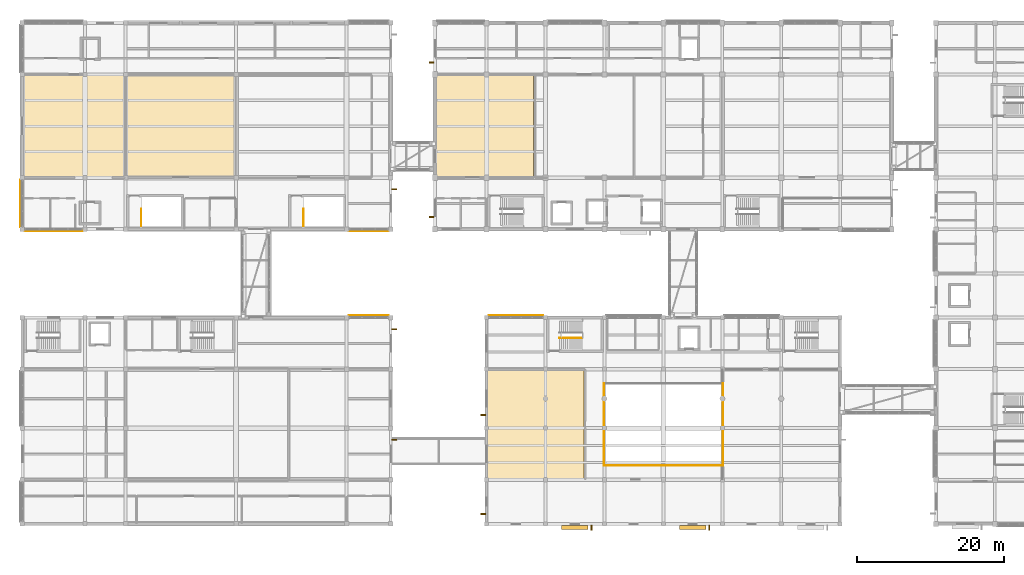
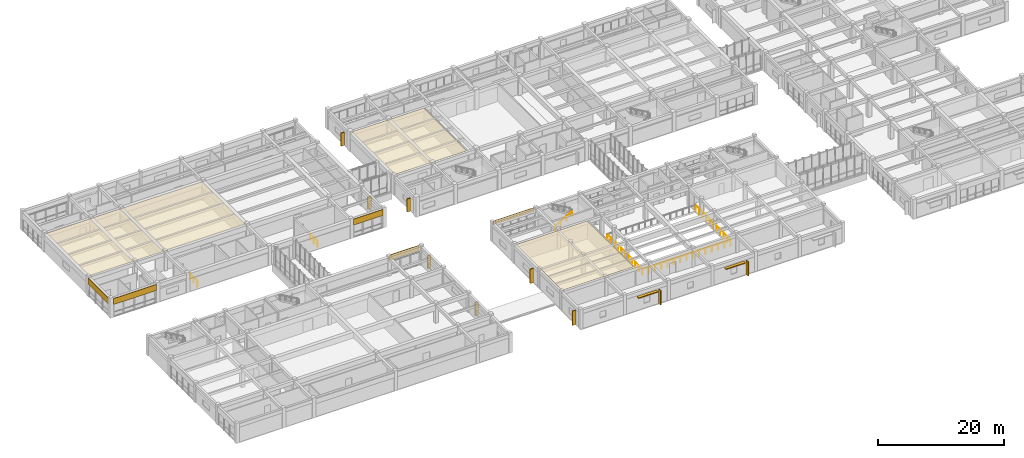
# One storey, part 59 of 66: 11 shading devices, 9 coverings, 6 railings.
"""IFC4 building model written with IfcOpenShell, lengths in metres."""

from ifc_helpers import new_model, si_unit, direction, frame, origin, origin_2d, place, context, subcontext, project, spatial, polyline, rectangle, circle, outline, extrude, material, layer, layer_set, type_object, element, save


model = new_model("IFC4")

# Units and contexts
model_context = context("Model", 3, precision=1e-05, world=origin(), true_north=direction((0.0, 1.0)))
body_context = subcontext(model_context, "Body", "Model", "MODEL_VIEW")
ifc_project = project(units=[si_unit("LENGTHUNIT", "METRE"), si_unit("AREAUNIT", "SQUARE_METRE"), si_unit("VOLUMEUNIT", "CUBIC_METRE"), si_unit("PLANEANGLEUNIT", "RADIAN"), si_unit("MASSUNIT", "GRAM", prefix="KILO")], contexts=[model_context])

# Site, building, storey
site_placement = place(None, origin())
site = spatial("IfcSite", under=ifc_project, at=site_placement, CompositionType="ELEMENT")
building_placement = place(site_placement, origin())
building = spatial("IfcBuilding", under=site, at=building_placement, Name="Naurynzar Civic Courthouse", CompositionType="ELEMENT")
storey_placement = place(building_placement, frame((0.0, 0.0, 14.39990234375)))
storey = spatial("IfcBuildingStorey", under=building, at=storey_placement, Name="L04", CompositionType="ELEMENT", Elevation=14.39990234375)

# Coverings
ifc_material_1 = material(Name="Acoustic Oak Timber Grade A", Category="wood")
ifc_layer_1 = layer(ifc_material_1, 0.044921875)
ifc_layer_set_1 = layer_set([ifc_layer_1], Name="CEIL-ACOUSTIC-OAK-45")
covering_type_1 = type_object("IfcCoveringType", Name="CEIL-ACOUSTIC-OAK-45", PredefinedType="CEILING", material=ifc_layer_set_1)
covering_1_placement = place(storey_placement, frame((0.0, 0.0, 3.485107421875)))
element("IfcCovering", 1, at=covering_1_placement, inside=storey, type_object=covering_type_1, Name="Acoustic suspended ceiling Appellate Plenary Hearing Courtroom", PredefinedType="CEILING", context=body_context, shape_type="SweptSolid", body=[
    extrude(outline(polyline([(20.159912109375, 51.159912109375), (20.159912109375, 64.840087890625), (34.840087890625, 64.840087890625), (34.840087890625, 51.159912109375), (20.159912109375, 51.159912109375)])), origin(), (0.0, 0.0, 1.0), 0.044921875),
])
covering_2_placement = place(storey_placement, frame((0.0, 0.0, 3.51513671875)))
element("IfcCovering", 2, at=covering_2_placement, inside=storey, type_object=covering_type_1, Name="Acoustic suspended ceiling Commercial Courtroom 4A", PredefinedType="CEILING", context=body_context, shape_type="SweptSolid", body=[
    extrude(outline(polyline([(75.360107421875, 51.159912109375), (62.159912109375, 51.159912109375), (62.159912109375, 64.840087890625), (75.360107421875, 64.840087890625), (75.360107421875, 51.159912109375)])), origin(), (0.0, 0.0, 1.0), 0.044921875),
])
ifc_material_2 = material(Name="Mineral Fibre Acoustic Ceiling")
ifc_layer_2 = layer(ifc_material_2, 0.030029296875)
ifc_layer_set_2 = layer_set([ifc_layer_2], Name="CEIL-MINERAL-30")
covering_type_2 = type_object("IfcCoveringType", Name="CEIL-MINERAL-30", PredefinedType="CEILING", material=ifc_layer_set_2)
covering_3_placement = place(storey_placement, frame((0.0, 0.0, 3.485107421875)))
element("IfcCovering", 3, at=covering_3_placement, inside=storey, type_object=covering_type_2, Name="Acoustic suspended ceiling Appellate Jury Room", PredefinedType="CEILING", context=body_context, shape_type="SweptSolid", body=[
    extrude(outline(polyline([(6.159912109375, 51.159912109375), (6.159912109375, 64.840087890625), (19.840087890625, 64.840087890625), (19.840087890625, 51.159912109375), (6.159912109375, 51.159912109375)])), origin(), (0.0, 0.0, 1.0), 0.030029296875),
])
covering_4_placement = place(storey_placement, frame((0.0, 0.0, 3.51513671875)))
element("IfcCovering", 4, at=covering_4_placement, inside=storey, type_object=covering_type_2, Name="Acoustic suspended ceiling Law Library Reading Room West", PredefinedType="CEILING", context=body_context, shape_type="SweptSolid", body=[
    extrude(outline(polyline([(69.159912109375, 10.159912109375), (69.159912109375, 24.840087890625), (82.239990234375, 24.840087890625), (82.239990234375, 10.159912109375), (69.159912109375, 10.159912109375)])), origin(), (0.0, 0.0, 1.0), 0.030029296875),
])
ifc_material_3 = material(Name="Precast concrete C40/50", Category="concrete")
ifc_layer_3 = layer(ifc_material_3, 0.080078125)
ifc_layer_set_3 = layer_set([ifc_layer_3], Name="COV-CLAD-PRECAST-80")
covering_type_3 = type_object("IfcCoveringType", Name="COV-CLAD-PRECAST-80", PredefinedType="CLADDING", material=ifc_layer_set_3)
covering_5_placement = place(storey_placement, frame((5.7451171875, 47.5, 2.4599609375), z_axis=(0.0, 0.0, 1.0), x_axis=(0.0, 1.0, 0.0)))
element("IfcCovering", 5, at=covering_5_placement, inside=storey, type_object=covering_type_3, Name="V1 precast spandrel cladding 13", PredefinedType="CLADDING", context=body_context, shape_type="SweptSolid", body=[
    extrude(rectangle(XDim=6.39990234375, YDim=0.080078125, at=origin_2d()), origin(), (0.0, 0.0, 1.0), 1.159912109375),
])
covering_6_placement = place(storey_placement, frame((53.0, 43.7451171875, 2.4599609375), z_axis=(0.0, 0.0, 1.0), x_axis=(-1.0, 0.0, 0.0)))
element("IfcCovering", 6, at=covering_6_placement, inside=storey, type_object=covering_type_3, Name="V1 precast spandrel cladding 17", PredefinedType="CLADDING", context=body_context, shape_type="SweptSolid", body=[
    extrude(rectangle(XDim=5.39990234375, YDim=0.080078125, at=origin_2d()), origin(), (0.0, 0.0, 1.0), 1.159912109375),
])
covering_7_placement = place(storey_placement, frame((10.25, 43.7451171875, 2.4599609375), z_axis=(0.0, 0.0, 1.0), x_axis=(-1.0, 0.0, 0.0)))
element("IfcCovering", 7, at=covering_7_placement, inside=storey, type_object=covering_type_3, Name="V1 precast spandrel cladding 18", PredefinedType="CLADDING", context=body_context, shape_type="SweptSolid", body=[
    extrude(rectangle(XDim=7.89990234375, YDim=0.080078125, at=origin_2d()), origin(), (0.0, 0.0, 1.0), 1.159912109375),
])
covering_8_placement = place(storey_placement, frame((73.0, 32.2548828125, 2.84033203125), z_axis=(0.0, 0.0, 1.0), x_axis=(1.0, 0.0, 0.0)))
element("IfcCovering", 8, at=covering_8_placement, inside=storey, type_object=covering_type_3, Name="V3 precast spandrel cladding 70", PredefinedType="CLADDING", context=body_context, shape_type="SweptSolid", body=[
    extrude(rectangle(XDim=7.449951171875, YDim=0.080078125, at=origin_2d()), origin(), (0.0, 0.0, 1.0), 0.719970703125),
])
covering_9_placement = place(storey_placement, frame((53.0, 32.2548828125, 2.60986328125), z_axis=(0.0, 0.0, 1.0), x_axis=(1.0, 0.0, 0.0)))
element("IfcCovering", 9, at=covering_9_placement, inside=storey, type_object=covering_type_3, Name="V4 precast spandrel cladding 82", PredefinedType="CLADDING", context=body_context, shape_type="SweptSolid", body=[
    extrude(rectangle(XDim=5.39990234375, YDim=0.080078125, at=origin_2d()), origin(), (0.0, 0.0, 1.0), 1.030029296875),
])

# Railings
ifc_material_4 = material(Name="Brushed Stainless Steel 304", Category="steel")
railing_type_1 = type_object("IfcRailingType", Name="RAIL-BAL-1100", PredefinedType="BALUSTRADE", material=ifc_material_4)
railing_1_placement = place(storey_placement, frame((84.919921875, 11.919921875, 0.0)))
element("IfcRailing", 10, at=railing_1_placement, inside=storey, type_object=railing_type_1, Name="Atrium gallery balustrade guard GR-VOID-V3-L04.1", PredefinedType="BALUSTRADE", context=body_context, shape_type="SweptSolid", body=[
    extrude(circle(Radius=0.02392578125, at=origin_2d()), frame((0.0, 0.0, 1.09619140625), z_axis=(1.0, 0.0, 0.0), x_axis=(0.0, 1.0, 0.0)), (0.0, 0.0, 1.0), 16.16015625),
    extrude(circle(Radius=0.02099609375, at=origin_2d()), origin(), (0.0, 0.0, 1.0), 1.072021484375),
    extrude(circle(Radius=0.02099609375, at=origin_2d()), frame((1.154296875, 0.0, 0.0)), (0.0, 0.0, 1.0), 1.072021484375),
    extrude(circle(Radius=0.02099609375, at=origin_2d()), frame((2.30859375, 0.0, 0.0)), (0.0, 0.0, 1.0), 1.072021484375),
    extrude(circle(Radius=0.02099609375, at=origin_2d()), frame((3.462890625, 0.0, 0.0)), (0.0, 0.0, 1.0), 1.072021484375),
    extrude(circle(Radius=0.02099609375, at=origin_2d()), frame((4.6171875, 0.0, 0.0)), (0.0, 0.0, 1.0), 1.072021484375),
    extrude(circle(Radius=0.02099609375, at=origin_2d()), frame((5.771484375, 0.0, 0.0)), (0.0, 0.0, 1.0), 1.072021484375),
    extrude(circle(Radius=0.02099609375, at=origin_2d()), frame((6.92578125, 0.0, 0.0)), (0.0, 0.0, 1.0), 1.072021484375),
    extrude(circle(Radius=0.02099609375, at=origin_2d()), frame((8.080078125, 0.0, 0.0)), (0.0, 0.0, 1.0), 1.072021484375),
    extrude(circle(Radius=0.02099609375, at=origin_2d()), frame((9.234375, 0.0, 0.0)), (0.0, 0.0, 1.0), 1.072021484375),
    extrude(circle(Radius=0.02099609375, at=origin_2d()), frame((10.388671875, 0.0, 0.0)), (0.0, 0.0, 1.0), 1.072021484375),
    extrude(circle(Radius=0.02099609375, at=origin_2d()), frame((11.54296875, 0.0, 0.0)), (0.0, 0.0, 1.0), 1.072021484375),
    extrude(circle(Radius=0.02099609375, at=origin_2d()), frame((12.697265625, 0.0, 0.0)), (0.0, 0.0, 1.0), 1.072021484375),
    extrude(circle(Radius=0.02099609375, at=origin_2d()), frame((13.8515625, 0.0, 0.0)), (0.0, 0.0, 1.0), 1.072021484375),
    extrude(circle(Radius=0.02099609375, at=origin_2d()), frame((15.005859375, 0.0, 0.0)), (0.0, 0.0, 1.0), 1.072021484375),
    extrude(circle(Radius=0.02099609375, at=origin_2d()), frame((16.16015625, 0.0, 0.0)), (0.0, 0.0, 1.0), 1.072021484375),
])
railing_2_placement = place(storey_placement, frame((101.080078125, 11.919921875, 0.0)))
element("IfcRailing", 11, at=railing_2_placement, inside=storey, type_object=railing_type_1, Name="Atrium gallery balustrade guard GR-VOID-V3-L04.2", PredefinedType="BALUSTRADE", context=body_context, shape_type="SweptSolid", body=[
    extrude(circle(Radius=0.02392578125, at=origin_2d()), frame((0.0, 0.0, 1.09619140625), z_axis=(0.0, 1.0, 0.0), x_axis=(-1.0, 0.0, 0.0)), (0.0, 0.0, 1.0), 11.16015625),
    extrude(circle(Radius=0.02099609375, at=origin_2d()), origin(), (0.0, 0.0, 1.0), 1.072021484375),
    extrude(circle(Radius=0.02099609375, at=origin_2d()), frame((0.0, 1.115966796875, 0.0)), (0.0, 0.0, 1.0), 1.072021484375),
    extrude(circle(Radius=0.02099609375, at=origin_2d()), frame((0.0, 2.23193359375, 0.0)), (0.0, 0.0, 1.0), 1.072021484375),
    extrude(circle(Radius=0.02099609375, at=origin_2d()), frame((0.0, 3.34814453125, 0.0)), (0.0, 0.0, 1.0), 1.072021484375),
    extrude(circle(Radius=0.02099609375, at=origin_2d()), frame((0.0, 4.464111328125, 0.0)), (0.0, 0.0, 1.0), 1.072021484375),
    extrude(circle(Radius=0.02099609375, at=origin_2d()), frame((0.0, 5.580078125, 0.0)), (0.0, 0.0, 1.0), 1.072021484375),
    extrude(circle(Radius=0.02099609375, at=origin_2d()), frame((0.0, 6.696044921875, 0.0)), (0.0, 0.0, 1.0), 1.072021484375),
    extrude(circle(Radius=0.02099609375, at=origin_2d()), frame((0.0, 7.81201171875, 0.0)), (0.0, 0.0, 1.0), 1.072021484375),
    extrude(circle(Radius=0.02099609375, at=origin_2d()), frame((0.0, 8.92822265625, 0.0)), (0.0, 0.0, 1.0), 1.072021484375),
    extrude(circle(Radius=0.02099609375, at=origin_2d()), frame((0.0, 10.044189453125, 0.0)), (0.0, 0.0, 1.0), 1.072021484375),
    extrude(circle(Radius=0.02099609375, at=origin_2d()), frame((0.0, 11.16015625, 0.0)), (0.0, 0.0, 1.0), 1.072021484375),
])
railing_3_placement = place(storey_placement, frame((84.919921875, 23.080078125, 0.0)))
element("IfcRailing", 12, at=railing_3_placement, inside=storey, type_object=railing_type_1, Name="Atrium gallery balustrade guard GR-VOID-V3-L04.4", PredefinedType="BALUSTRADE", context=body_context, shape_type="SweptSolid", body=[
    extrude(circle(Radius=0.02392578125, at=origin_2d()), frame((0.0, 0.0, 1.09619140625), z_axis=(0.0, -1.0, 0.0), x_axis=(1.0, 0.0, 0.0)), (0.0, 0.0, 1.0), 11.16015625),
    extrude(circle(Radius=0.02099609375, at=origin_2d()), origin(), (0.0, 0.0, 1.0), 1.072021484375),
    extrude(circle(Radius=0.02099609375, at=origin_2d()), frame((0.0, -1.115966796875, 0.0)), (0.0, 0.0, 1.0), 1.072021484375),
    extrude(circle(Radius=0.02099609375, at=origin_2d()), frame((0.0, -2.23193359375, 0.0)), (0.0, 0.0, 1.0), 1.072021484375),
    extrude(circle(Radius=0.02099609375, at=origin_2d()), frame((0.0, -3.34814453125, 0.0)), (0.0, 0.0, 1.0), 1.072021484375),
    extrude(circle(Radius=0.02099609375, at=origin_2d()), frame((0.0, -4.464111328125, 0.0)), (0.0, 0.0, 1.0), 1.072021484375),
    extrude(circle(Radius=0.02099609375, at=origin_2d()), frame((0.0, -5.580078125, 0.0)), (0.0, 0.0, 1.0), 1.072021484375),
    extrude(circle(Radius=0.02099609375, at=origin_2d()), frame((0.0, -6.696044921875, 0.0)), (0.0, 0.0, 1.0), 1.072021484375),
    extrude(circle(Radius=0.02099609375, at=origin_2d()), frame((0.0, -7.81201171875, 0.0)), (0.0, 0.0, 1.0), 1.072021484375),
    extrude(circle(Radius=0.02099609375, at=origin_2d()), frame((0.0, -8.92822265625, 0.0)), (0.0, 0.0, 1.0), 1.072021484375),
    extrude(circle(Radius=0.02099609375, at=origin_2d()), frame((0.0, -10.044189453125, 0.0)), (0.0, 0.0, 1.0), 1.072021484375),
    extrude(circle(Radius=0.02099609375, at=origin_2d()), frame((0.0, -11.16015625, 0.0)), (0.0, 0.0, 1.0), 1.072021484375),
])
for number, where, name in (
    (13, (22.139892578125, 44.449951171875, 0.0), "Stair ST-V1A top floor well guard L04"),
    (14, (44.139892578125, 44.449951171875, 0.0), "Stair ST-V1B top floor well guard L04"),
):
    element("IfcRailing", number, at=place(storey_placement, frame(where)), inside=storey, type_object=railing_type_1, Name=name, PredefinedType="BALUSTRADE", context=body_context, shape_type="SweptSolid", body=[
        extrude(circle(Radius=0.02392578125, at=origin_2d()), frame((0.0, 0.0, 1.09619140625), z_axis=(0.0, 1.0, 0.0), x_axis=(-1.0, 0.0, 0.0)), (0.0, 0.0, 1.0), 2.31005859375),
        extrude(circle(Radius=0.02099609375, at=origin_2d()), origin(), (0.0, 0.0, 1.0), 1.072021484375),
        extrude(circle(Radius=0.02099609375, at=origin_2d()), frame((0.0, 1.155029296875, 0.0)), (0.0, 0.0, 1.0), 1.072021484375),
        extrude(circle(Radius=0.02099609375, at=origin_2d()), frame((0.0, 2.31005859375, 0.0)), (0.0, 0.0, 1.0), 1.072021484375),
    ])
ifc_material_5 = material(Name="Brushed Stainless Steel 304", Category="steel")
railing_type_2 = type_object("IfcRailingType", Name="RAIL-HR-900", PredefinedType="HANDRAIL", material=ifc_material_5)
railing_4_placement = place(storey_placement, frame((78.89990234375, 29.239990234375, 0.16259765625)))
element("IfcRailing", 15, at=railing_4_placement, inside=storey, type_object=railing_type_2, Name="Stair ST-V3A-L04 flight 1 handrail", PredefinedType="HANDRAIL", context=body_context, shape_type="SweptSolid", body=[
    extrude(circle(Radius=0.02392578125, at=origin_2d()), frame((0.0, 0.0, 0.8759765625), z_axis=(0.864890721111, 0.0, 0.501960198159), x_axis=(0.0, 1.0, 0.0)), (0.0, 0.0, 1.0), 3.561279296875),
    extrude(circle(Radius=0.02099609375, at=origin_2d()), origin(), (0.0, 0.0, 1.0), 0.851806640625),
    extrude(circle(Radius=0.02099609375, at=origin_2d()), frame((1.026611328125, 0.0, 0.595947265625)), (0.0, 0.0, 1.0), 0.851806640625),
    extrude(circle(Radius=0.02099609375, at=origin_2d()), frame((2.053466796875, 0.0, 1.191650390625)), (0.0, 0.0, 1.0), 0.851806640625),
    extrude(circle(Radius=0.02099609375, at=origin_2d()), frame((3.080078125, 0.0, 1.78759765625)), (0.0, 0.0, 1.0), 0.851806640625),
])

# Shading devices
ifc_material_6 = material(Name="Precast concrete C40/50", Category="concrete")
shading_device_type_1 = type_object("IfcShadingDeviceType", Name="SHD-FIN-V650", PredefinedType="JALOUSIE", material=ifc_material_6)
shading_device_placement = place(storey_placement, frame((56.47998046875, 49.419921875, 0.0400390625), z_axis=(0.0, 0.0, 1.0), x_axis=(0.0, -1.0, 0.0)))
element("IfcShadingDevice", 16, at=shading_device_placement, inside=storey, type_object=shading_device_type_1, Name="V1 vertical brise-soleil fin 6", PredefinedType="JALOUSIE", context=body_context, shape_type="SweptSolid", body=[
    extrude(rectangle(XDim=0.179931640625, YDim=0.64990234375, at=origin_2d()), origin(), (0.0, 0.0, 1.0), 2.3798828125),
])
for number, where, z_axis, x_axis, name in (
    (17, (61.530029296875, 45.639892578125, 0.0400390625), (0.0, 0.0, 1.0), (0.0, 1.0, 0.0), "V2 vertical brise-soleil fin 18"),
    (18, (61.530029296875, 66.639892578125, 0.0400390625), (0.0, 0.0, 1.0), (0.0, 1.0, 0.0), "V2 vertical brise-soleil fin 19"),
):
    element("IfcShadingDevice", number, at=place(storey_placement, frame(where, z_axis=z_axis, x_axis=x_axis)), inside=storey, type_object=shading_device_type_1, Name=name, PredefinedType="JALOUSIE", context=body_context, shape_type="SweptSolid", body=[
        extrude(rectangle(XDim=0.179931640625, YDim=0.64990234375, at=origin_2d()), origin(), (0.0, 0.0, 1.0), 2.530029296875),
    ])
for number, where, z_axis, x_axis, name in (
    (19, (68.550048828125, 5.364990234375, 0.0400390625), (0.0, 0.0, 1.0), (0.0, 1.0, 0.0), "V3 vertical brise-soleil fin 46"),
    (20, (68.550048828125, 18.764892578125, 0.0400390625), (0.0, 0.0, 1.0), (0.0, 1.0, 0.0), "V3 vertical brise-soleil fin 47"),
    (21, (99.235107421875, 3.469970703125, 0.0400390625), (0.0, 0.0, 1.0), (-1.0, 0.0, 0.0), "V3 vertical brise-soleil fin 50"),
    (22, (83.235107421875, 3.469970703125, 0.0400390625), (0.0, 0.0, 1.0), (-1.0, 0.0, 0.0), "V3 vertical brise-soleil fin 51"),
):
    element("IfcShadingDevice", number, at=place(storey_placement, frame(where, z_axis=z_axis, x_axis=x_axis)), inside=storey, type_object=shading_device_type_1, Name=name, PredefinedType="JALOUSIE", context=body_context, shape_type="SweptSolid", body=[
        extrude(rectangle(XDim=0.179931640625, YDim=0.64990234375, at=origin_2d()), origin(), (0.0, 0.0, 1.0), 2.760009765625),
    ])
for number, where, z_axis, x_axis, name in (
    (23, (56.47998046875, 30.419921875, 0.0400390625), (0.0, 0.0, 1.0), (0.0, -1.0, 0.0), "V4 vertical brise-soleil fin 68"),
    (24, (56.47998046875, 15.419921875, 0.0400390625), (0.0, 0.0, 1.0), (0.0, -1.0, 0.0), "V4 vertical brise-soleil fin 69"),
):
    element("IfcShadingDevice", number, at=place(storey_placement, frame(where, z_axis=z_axis, x_axis=x_axis)), inside=storey, type_object=shading_device_type_1, Name=name, PredefinedType="JALOUSIE", context=body_context, shape_type="SweptSolid", body=[
        extrude(rectangle(XDim=0.179931640625, YDim=0.64990234375, at=origin_2d()), origin(), (0.0, 0.0, 1.0), 2.530029296875),
    ])
ifc_material_7 = material(Name="Precast concrete C40/50", Category="concrete")
shading_device_type_2 = type_object("IfcShadingDeviceType", Name="SHD-LOUV-H550", PredefinedType="SHUTTER", material=ifc_material_7)
for number, where, z_axis, x_axis, name in (
    (25, (97.0, 3.52001953125, 2.60009765625), (0.0, 0.0, 1.0), (-1.0, 0.0, 0.0), "V3 horizontal solar sun-breaker 50"),
    (26, (81.0, 3.52001953125, 2.60009765625), (0.0, 0.0, 1.0), (-1.0, 0.0, 0.0), "V3 horizontal solar sun-breaker 51"),
):
    element("IfcShadingDevice", number, at=place(storey_placement, frame(where, z_axis=z_axis, x_axis=x_axis)), inside=storey, type_object=shading_device_type_2, Name=name, PredefinedType="SHUTTER", context=body_context, shape_type="SweptSolid", body=[
        extrude(rectangle(XDim=3.60009765625, YDim=0.550048828125, at=origin_2d()), origin(), (0.0, 0.0, 1.0), 0.159912109375),
    ])

save(model, "model.ifc")
